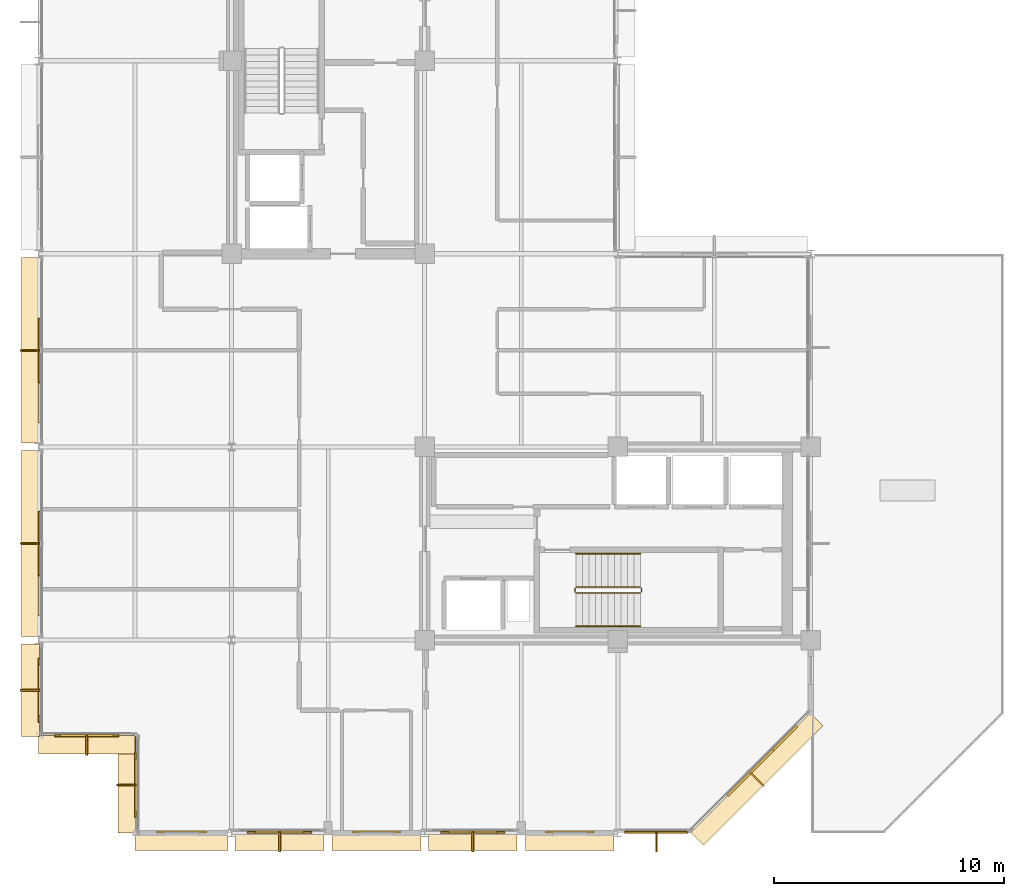
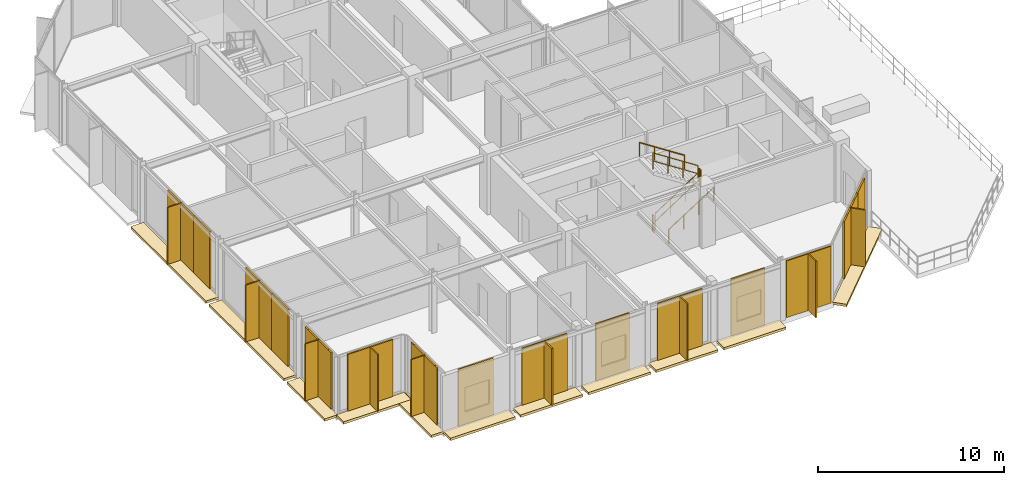
# One storey, part 20 of 23: 22 coverings, 18 shading devices, 6 railings.
"""IFC4 building model written with IfcOpenShell, lengths in metres."""

from ifc_helpers import new_model, si_unit, direction, frame, origin, origin_2d, place, context, subcontext, project, spatial, polyline, rectangle, circle, outline, extrude, material, layer, layer_set, type_object, element, save


model = new_model("IFC4")

# Units and contexts
model_context = context("Model", 3, precision=1e-05, world=origin(), true_north=direction((0.0, 1.0)))
body_context = subcontext(model_context, "Body", "Model", "MODEL_VIEW")
ifc_project = project(units=[si_unit("LENGTHUNIT", "METRE"), si_unit("AREAUNIT", "SQUARE_METRE"), si_unit("VOLUMEUNIT", "CUBIC_METRE"), si_unit("PLANEANGLEUNIT", "RADIAN"), si_unit("MASSUNIT", "GRAM", prefix="KILO")], contexts=[model_context])

# Site, building, storey
site_placement = place(None, origin())
site = spatial("IfcSite", under=ifc_project, at=site_placement, CompositionType="ELEMENT")
building_placement = place(site_placement, origin())
building = spatial("IfcBuilding", under=site, at=building_placement, Name="Nerrivon Quay Data Exchange", CompositionType="ELEMENT")
storey_placement = place(building_placement, frame((0.0, 0.0, 286.199951171875)))
storey = spatial("IfcBuildingStorey", under=building, at=storey_placement, Name="L68", CompositionType="ELEMENT", Elevation=286.199951171875)

# Coverings
ifc_material_1 = material(Name="Architectural terracotta ceramic", Category="masonry")
ifc_layer_1 = layer(ifc_material_1, 0.159912109375)
ifc_layer_set_1 = layer_set([ifc_layer_1], Name="Architectural terracotta ceramic")
covering_type_1 = type_object("IfcCoveringType", Name="COV-BLD-TERR", PredefinedType="CLADDING", material=ifc_layer_set_1)
covering_1_placement = place(storey_placement, frame((0.0, 0.0, -0.159912109375)))
element("IfcCovering", 1, at=covering_1_placement, inside=storey, type_object=covering_type_1, Name="L68 Horizontal Terracotta SOLAR SCREEN Blade", PredefinedType="CLADDING", context=body_context, shape_type="SweptSolid", body=[
    extrude(outline(polyline([(33.57177734375, 5.228271484375), (28.37158203125, 0.0283203125), (28.930419921875, -0.5302734375), (34.13037109375, 4.669677734375), (33.57177734375, 5.228271484375)])), origin(), (0.0, 0.0, 1.0), 0.159912109375),
])
covering_2_placement = place(storey_placement, frame((0.0, 0.0, -0.159912109375)))
element("IfcCovering", 2, at=covering_2_placement, inside=storey, type_object=covering_type_1, Name="L68 Horizontal Terracotta SOLAR SCREEN Blade", PredefinedType="CLADDING", context=body_context, shape_type="SweptSolid", body=[
    extrude(outline(polyline([(25.04443359375, 0.0400390625), (21.175048828125, 0.0400390625), (21.175048828125, -0.75), (25.04443359375, -0.75), (25.04443359375, 0.0400390625)])), origin(), (0.0, 0.0, 1.0), 0.159912109375),
])
covering_3_placement = place(storey_placement, frame((0.0, 0.0, -0.159912109375)))
element("IfcCovering", 3, at=covering_3_placement, inside=storey, type_object=covering_type_1, Name="L68 Horizontal Terracotta SOLAR SCREEN Blade", PredefinedType="CLADDING", context=body_context, shape_type="SweptSolid", body=[
    extrude(outline(polyline([(20.824951171875, 0.0400390625), (16.95556640625, 0.0400390625), (16.95556640625, -0.75), (20.824951171875, -0.75), (20.824951171875, 0.0400390625)])), origin(), (0.0, 0.0, 1.0), 0.159912109375),
])
covering_4_placement = place(storey_placement, frame((0.0, 0.0, -0.159912109375)))
element("IfcCovering", 4, at=covering_4_placement, inside=storey, type_object=covering_type_1, Name="L68 Horizontal Terracotta SOLAR SCREEN Blade", PredefinedType="CLADDING", context=body_context, shape_type="SweptSolid", body=[
    extrude(outline(polyline([(16.64453125, 0.0400390625), (12.77490234375, 0.0400390625), (12.77490234375, -0.75), (16.64453125, -0.75), (16.64453125, 0.0400390625)])), origin(), (0.0, 0.0, 1.0), 0.159912109375),
])
covering_5_placement = place(storey_placement, frame((0.0, 0.0, -0.159912109375)))
element("IfcCovering", 5, at=covering_5_placement, inside=storey, type_object=covering_type_1, Name="L68 Horizontal Terracotta SOLAR SCREEN Blade", PredefinedType="CLADDING", context=body_context, shape_type="SweptSolid", body=[
    extrude(outline(polyline([(12.425048828125, 0.0400390625), (8.555419921875, 0.0400390625), (8.555419921875, -0.75), (12.425048828125, -0.75), (12.425048828125, 0.0400390625)])), origin(), (0.0, 0.0, 1.0), 0.159912109375),
])
covering_6_placement = place(storey_placement, frame((0.0, 0.0, -0.159912109375)))
element("IfcCovering", 6, at=covering_6_placement, inside=storey, type_object=covering_type_1, Name="L68 Horizontal Terracotta SOLAR SCREEN Blade", PredefinedType="CLADDING", context=body_context, shape_type="SweptSolid", body=[
    extrude(outline(polyline([(8.244384765625, 0.0400390625), (4.199951171875, 0.0400390625), (4.199951171875, -0.75), (8.244384765625, -0.75), (8.244384765625, 0.0400390625)])), origin(), (0.0, 0.0, 1.0), 0.159912109375),
])
covering_7_placement = place(storey_placement, frame((0.0, 0.0, -0.159912109375)))
element("IfcCovering", 7, at=covering_7_placement, inside=storey, type_object=covering_type_1, Name="L68 Horizontal Terracotta SOLAR SCREEN Blade", PredefinedType="CLADDING", context=body_context, shape_type="SweptSolid", body=[
    extrude(outline(polyline([(4.239990234375, 0.0), (4.239990234375, 4.199951171875), (3.449951171875, 4.199951171875), (3.449951171875, 0.0), (4.239990234375, 0.0)])), origin(), (0.0, 0.0, 1.0), 0.159912109375),
])
covering_8_placement = place(storey_placement, frame((0.0, 0.0, -0.159912109375)))
element("IfcCovering", 8, at=covering_8_placement, inside=storey, type_object=covering_type_1, Name="L68 Horizontal Terracotta SOLAR SCREEN Blade", PredefinedType="CLADDING", context=body_context, shape_type="SweptSolid", body=[
    extrude(outline(polyline([(4.199951171875, 4.239990234375), (0.0, 4.239990234375), (0.0, 3.449951171875), (4.199951171875, 3.449951171875), (4.199951171875, 4.239990234375)])), origin(), (0.0, 0.0, 1.0), 0.159912109375),
])
covering_9_placement = place(storey_placement, frame((0.0, 0.0, -0.159912109375)))
element("IfcCovering", 9, at=covering_9_placement, inside=storey, type_object=covering_type_1, Name="L68 Horizontal Terracotta SOLAR SCREEN Blade", PredefinedType="CLADDING", context=body_context, shape_type="SweptSolid", body=[
    extrude(outline(polyline([(0.0400390625, 4.199951171875), (0.0400390625, 8.236572265625), (-0.75, 8.236572265625), (-0.75, 4.199951171875), (0.0400390625, 4.199951171875)])), origin(), (0.0, 0.0, 1.0), 0.159912109375),
])
covering_10_placement = place(storey_placement, frame((0.0, 0.0, -0.159912109375)))
element("IfcCovering", 10, at=covering_10_placement, inside=storey, type_object=covering_type_1, Name="L68 Horizontal Terracotta SOLAR SCREEN Blade", PredefinedType="CLADDING", context=body_context, shape_type="SweptSolid", body=[
    extrude(outline(polyline([(0.0400390625, 8.5634765625), (0.0400390625, 16.636474609375), (-0.75, 16.636474609375), (-0.75, 8.5634765625), (0.0400390625, 8.5634765625)])), origin(), (0.0, 0.0, 1.0), 0.159912109375),
])
covering_11_placement = place(storey_placement, frame((0.0, 0.0, -0.159912109375)))
element("IfcCovering", 11, at=covering_11_placement, inside=storey, type_object=covering_type_1, Name="L68 Horizontal Terracotta SOLAR SCREEN Blade", PredefinedType="CLADDING", context=body_context, shape_type="SweptSolid", body=[
    extrude(outline(polyline([(0.0400390625, 16.96337890625), (0.0400390625, 25.03662109375), (-0.75, 25.03662109375), (-0.75, 16.96337890625), (0.0400390625, 16.96337890625)])), origin(), (0.0, 0.0, 1.0), 0.159912109375),
])
ifc_layer_2 = layer(ifc_material_1, 0.090087890625)
ifc_layer_set_2 = layer_set([ifc_layer_2], Name="Architectural terracotta ceramic")
covering_type_2 = type_object("IfcCoveringType", Name="COV-SCR-TERR", PredefinedType="CLADDING", material=ifc_layer_set_2)
covering_12_placement = place(storey_placement, frame((31.59228515625, 3.255859375, 0.0), z_axis=(0.0, 0.0, 1.0), x_axis=(-0.707106781187, -0.707106781187, 0.0)))
element("IfcCovering", 12, at=covering_12_placement, inside=storey, type_object=covering_type_2, Name="L68 Perforated Terracotta SOLAR SCREEN Cassette", PredefinedType="CLADDING", context=body_context, shape_type="SweptSolid", body=[
    extrude(rectangle(XDim=3.970947265625, YDim=0.090087890625, at=origin_2d()), origin(), (0.0, 0.0, 1.0), 3.72509765625),
])
for number, where, z_axis, x_axis, name in (
    (13, (23.109619140625, 0.044921875, 0.0), (0.0, 0.0, 1.0), (-1.0, 0.0, 0.0), "L68 Perforated Terracotta SOLAR SCREEN Cassette"),
    (14, (18.890380859375, 0.044921875, 0.0), (0.0, 0.0, 1.0), (-1.0, 0.0, 0.0), "L68 Perforated Terracotta SOLAR SCREEN Cassette"),
    (15, (14.709716796875, 0.044921875, 0.0), (0.0, 0.0, 1.0), (-1.0, 0.0, 0.0), "L68 Perforated Terracotta SOLAR SCREEN Cassette"),
    (16, (10.490234375, 0.044921875, 0.0), (0.0, 0.0, 1.0), (-1.0, 0.0, 0.0), "L68 Perforated Terracotta SOLAR SCREEN Cassette"),
):
    element("IfcCovering", number, at=place(storey_placement, frame(where, z_axis=z_axis, x_axis=x_axis)), inside=storey, type_object=covering_type_2, Name=name, PredefinedType="CLADDING", context=body_context, shape_type="SweptSolid", body=[
        extrude(rectangle(XDim=2.090087890625, YDim=0.090087890625, at=origin_2d()), origin(), (0.0, 0.0, 1.0), 3.72509765625),
    ])
covering_13_placement = place(storey_placement, frame((6.222412109375, 0.044921875, 0.0), z_axis=(0.0, 0.0, 1.0), x_axis=(-1.0, 0.0, 0.0)))
element("IfcCovering", 17, at=covering_13_placement, inside=storey, type_object=covering_type_2, Name="L68 Perforated Terracotta SOLAR SCREEN Cassette", PredefinedType="CLADDING", context=body_context, shape_type="SweptSolid", body=[
    extrude(rectangle(XDim=2.18408203125, YDim=0.090087890625, at=origin_2d()), origin(), (0.0, 0.0, 1.0), 3.72509765625),
])
for number, where, z_axis, x_axis, name in (
    (18, (4.2451171875, 2.10009765625, 0.0), (0.0, 0.0, 1.0), (0.0, 1.0, 0.0), "L68 Perforated Terracotta SOLAR SCREEN Cassette"),
    (19, (2.10009765625, 4.2451171875, 0.0), (0.0, 0.0, 1.0), (-1.0, 0.0, 0.0), "L68 Perforated Terracotta SOLAR SCREEN Cassette"),
):
    element("IfcCovering", number, at=place(storey_placement, frame(where, z_axis=z_axis, x_axis=x_axis)), inside=storey, type_object=covering_type_2, Name=name, PredefinedType="CLADDING", context=body_context, shape_type="SweptSolid", body=[
        extrude(rectangle(XDim=2.26806640625, YDim=0.090087890625, at=origin_2d()), origin(), (0.0, 0.0, 1.0), 3.72509765625),
    ])
covering_14_placement = place(storey_placement, frame((0.044921875, 6.21826171875, 0.0), z_axis=(0.0, 0.0, 1.0), x_axis=(0.0, 1.0, 0.0)))
element("IfcCovering", 20, at=covering_14_placement, inside=storey, type_object=covering_type_2, Name="L68 Perforated Terracotta SOLAR SCREEN Cassette", PredefinedType="CLADDING", context=body_context, shape_type="SweptSolid", body=[
    extrude(rectangle(XDim=2.179931640625, YDim=0.090087890625, at=origin_2d()), origin(), (0.0, 0.0, 1.0), 3.72509765625),
])
for number, where, z_axis, x_axis, name in (
    (21, (0.044921875, 11.631103515625, 0.0), (0.0, 0.0, 1.0), (0.0, 1.0, 0.0), "L68 Perforated Terracotta SOLAR SCREEN Cassette"),
    (22, (0.044921875, 20.03125, 0.0), (0.0, 0.0, 1.0), (0.0, 1.0, 0.0), "L68 Perforated Terracotta SOLAR SCREEN Cassette"),
):
    element("IfcCovering", number, at=place(storey_placement, frame(where, z_axis=z_axis, x_axis=x_axis)), inside=storey, type_object=covering_type_2, Name=name, PredefinedType="CLADDING", context=body_context, shape_type="SweptSolid", body=[
        extrude(rectangle(XDim=4.35888671875, YDim=0.090087890625, at=origin_2d()), origin(), (0.0, 0.0, 1.0), 3.72509765625),
    ])

# Railings
ifc_material_2 = material(Name="Steel Grade C350L0 (350 MPa)", Category="steel")
railing_type_1 = type_object("IfcRailingType", Name="RAIL-HAND-HR1", PredefinedType="HANDRAIL", material=ifc_material_2)
railing_1_placement = place(storey_placement, frame((23.3798828125, 9.0, 0.181884765625)))
element("IfcRailing", 23, at=railing_1_placement, inside=storey, type_object=railing_type_1, Name="L68 ST02 stair handrail 1", PredefinedType="HANDRAIL", context=body_context, shape_type="SweptSolid", body=[
    extrude(circle(Radius=0.02392578125, at=origin_2d()), frame((0.0, 0.0, 0.8759765625), z_axis=(0.838705829183, 0.0, 0.544584733623), x_axis=(0.0, 1.0, 0.0)), (0.0, 0.0, 1.0), 3.338623046875),
    extrude(circle(Radius=0.02099609375, at=origin_2d()), origin(), (0.0, 0.0, 1.0), 0.851806640625),
    extrude(circle(Radius=0.02099609375, at=origin_2d()), frame((0.933349609375, 0.0, 0.60595703125)), (0.0, 0.0, 1.0), 0.851806640625),
    extrude(circle(Radius=0.02099609375, at=origin_2d()), frame((1.86669921875, 0.0, 1.212158203125)), (0.0, 0.0, 1.0), 0.851806640625),
    extrude(circle(Radius=0.02099609375, at=origin_2d()), frame((2.800048828125, 0.0, 1.818115234375)), (0.0, 0.0, 1.0), 0.851806640625),
])
railing_2_placement = place(storey_placement, frame((26.179931640625, 12.14990234375, 2.181884765625)))
element("IfcRailing", 24, at=railing_2_placement, inside=storey, type_object=railing_type_1, Name="L68 ST02 stair handrail 2", PredefinedType="HANDRAIL", context=body_context, shape_type="SweptSolid", body=[
    extrude(circle(Radius=0.02392578125, at=origin_2d()), frame((0.0, 0.0, 0.8759765625), z_axis=(-0.838705829183, 0.0, 0.544584733623), x_axis=(0.0, -1.0, 0.0)), (0.0, 0.0, 1.0), 3.338623046875),
    extrude(circle(Radius=0.02099609375, at=origin_2d()), origin(), (0.0, 0.0, 1.0), 0.851806640625),
    extrude(circle(Radius=0.02099609375, at=origin_2d()), frame((-0.933349609375, 0.0, 0.60595703125)), (0.0, 0.0, 1.0), 0.851806640625),
    extrude(circle(Radius=0.02099609375, at=origin_2d()), frame((-1.86669921875, 0.0, 1.212158203125)), (0.0, 0.0, 1.0), 0.851806640625),
    extrude(circle(Radius=0.02099609375, at=origin_2d()), frame((-2.800048828125, 0.0, 1.818115234375)), (0.0, 0.0, 1.0), 0.851806640625),
])
railing_type_2 = type_object("IfcRailingType", Name="RAIL-STAIR-GR1", PredefinedType="BALUSTRADE", material=ifc_material_2)
railing_3_placement = place(storey_placement, frame((23.3798828125, 10.449951171875, 0.181884765625)))
element("IfcRailing", 25, at=railing_3_placement, inside=storey, type_object=railing_type_2, Name="L68 ST02 stair guard 1", PredefinedType="BALUSTRADE", context=body_context, shape_type="SweptSolid", body=[
    extrude(circle(Radius=0.02392578125, at=origin_2d()), frame((0.0, 0.0, 1.076171875), z_axis=(0.838705829183, 0.0, 0.544584733623), x_axis=(0.0, 1.0, 0.0)), (0.0, 0.0, 1.0), 3.338623046875),
    extrude(circle(Radius=0.02392578125, at=origin_2d()), frame((0.0, 0.0, 0.550048828125), z_axis=(0.838705829183, 0.0, 0.544584733623), x_axis=(0.0, 1.0, 0.0)), (0.0, 0.0, 1.0), 3.338623046875),
    extrude(circle(Radius=0.02099609375, at=origin_2d()), origin(), (0.0, 0.0, 1.0), 1.052001953125),
    extrude(circle(Radius=0.02099609375, at=origin_2d()), frame((0.933349609375, 0.0, 0.60595703125)), (0.0, 0.0, 1.0), 1.052001953125),
    extrude(circle(Radius=0.02099609375, at=origin_2d()), frame((1.86669921875, 0.0, 1.212158203125)), (0.0, 0.0, 1.0), 1.052001953125),
    extrude(circle(Radius=0.02099609375, at=origin_2d()), frame((2.800048828125, 0.0, 1.818115234375)), (0.0, 0.0, 1.0), 1.052001953125),
])
railing_4_placement = place(storey_placement, frame((26.22998046875, 10.5, 2.0)))
element("IfcRailing", 26, at=railing_4_placement, inside=storey, type_object=railing_type_2, Name="L68 ST02 stair guard 2", PredefinedType="BALUSTRADE", context=body_context, shape_type="SweptSolid", body=[
    extrude(circle(Radius=0.02392578125, at=origin_2d()), frame((0.0, 0.0, 1.076171875), z_axis=(0.0, 1.0, 0.0), x_axis=(-1.0, 0.0, 0.0)), (0.0, 0.0, 1.0), 0.14990234375),
    extrude(circle(Radius=0.02392578125, at=origin_2d()), frame((0.0, 0.0, 0.550048828125), z_axis=(0.0, 1.0, 0.0), x_axis=(-1.0, 0.0, 0.0)), (0.0, 0.0, 1.0), 0.14990234375),
    extrude(circle(Radius=0.02099609375, at=origin_2d()), origin(), (0.0, 0.0, 1.0), 1.052001953125),
    extrude(circle(Radius=0.02099609375, at=origin_2d()), frame((0.0, 0.14990234375, 0.0)), (0.0, 0.0, 1.0), 1.052001953125),
])
railing_5_placement = place(storey_placement, frame((26.179931640625, 10.699951171875, 2.181884765625)))
element("IfcRailing", 27, at=railing_5_placement, inside=storey, type_object=railing_type_2, Name="L68 ST02 stair guard 3", PredefinedType="BALUSTRADE", context=body_context, shape_type="SweptSolid", body=[
    extrude(circle(Radius=0.02392578125, at=origin_2d()), frame((0.0, 0.0, 1.076171875), z_axis=(-0.838705829183, 0.0, 0.544584733623), x_axis=(0.0, -1.0, 0.0)), (0.0, 0.0, 1.0), 3.338623046875),
    extrude(circle(Radius=0.02392578125, at=origin_2d()), frame((0.0, 0.0, 0.550048828125), z_axis=(-0.838705829183, 0.0, 0.544584733623), x_axis=(0.0, -1.0, 0.0)), (0.0, 0.0, 1.0), 3.338623046875),
    extrude(circle(Radius=0.02099609375, at=origin_2d()), origin(), (0.0, 0.0, 1.0), 1.052001953125),
    extrude(circle(Radius=0.02099609375, at=origin_2d()), frame((-0.933349609375, 0.0, 0.60595703125)), (0.0, 0.0, 1.0), 1.052001953125),
    extrude(circle(Radius=0.02099609375, at=origin_2d()), frame((-1.86669921875, 0.0, 1.212158203125)), (0.0, 0.0, 1.0), 1.052001953125),
    extrude(circle(Radius=0.02099609375, at=origin_2d()), frame((-2.800048828125, 0.0, 1.818115234375)), (0.0, 0.0, 1.0), 1.052001953125),
])
railing_6_placement = place(storey_placement, frame((23.330078125, 10.5, 0.0)))
element("IfcRailing", 28, at=railing_6_placement, inside=storey, type_object=railing_type_2, Name="L68 ST02 stair guard 4", PredefinedType="BALUSTRADE", context=body_context, shape_type="SweptSolid", body=[
    extrude(circle(Radius=0.02392578125, at=origin_2d()), frame((0.0, 0.0, 1.076171875), z_axis=(0.0, 1.0, 0.0), x_axis=(-1.0, 0.0, 0.0)), (0.0, 0.0, 1.0), 0.14990234375),
    extrude(circle(Radius=0.02392578125, at=origin_2d()), frame((0.0, 0.0, 0.550048828125), z_axis=(0.0, 1.0, 0.0), x_axis=(-1.0, 0.0, 0.0)), (0.0, 0.0, 1.0), 0.14990234375),
    extrude(circle(Radius=0.02099609375, at=origin_2d()), origin(), (0.0, 0.0, 1.0), 1.052001953125),
    extrude(circle(Radius=0.02099609375, at=origin_2d()), frame((0.0, 0.14990234375, 0.0)), (0.0, 0.0, 1.0), 1.052001953125),
])

# Shading devices
ifc_layer_3 = layer(ifc_material_1, 0.074951171875)
ifc_layer_set_3 = layer_set([ifc_layer_3], Name="Architectural terracotta ceramic")
shading_device_type_1 = type_object("IfcShadingDeviceType", Name="SHD-FIN-SS02", PredefinedType="USERDEFINED", material=ifc_layer_set_3)
for number, where, z_axis, x_axis, name in (
    (29, (31.268798828125, 2.331298828125, 0.0), (0.0, 0.0, 1.0), (-0.707106781187, -0.707106781187, 0.0), "L68 Subtropical Solar Fin Blade 1"),
    (30, (26.877685546875, -0.3798828125, 0.0), (0.0, 0.0, 1.0), (-1.0, 0.0, 0.0), "L68 Subtropical Solar Fin Blade 2"),
    (31, (18.890380859375, -0.3798828125, 0.0), (0.0, 0.0, 1.0), (-1.0, 0.0, 0.0), "L68 Subtropical Solar Fin Blade 4"),
    (32, (10.490234375, -0.3798828125, 0.0), (0.0, 0.0, 1.0), (-1.0, 0.0, 0.0), "L68 Subtropical Solar Fin Blade 6"),
    (33, (3.820068359375, 2.10009765625, 0.0), (0.0, 0.0, 1.0), (0.0, 1.0, 0.0), "L68 Subtropical Solar Fin Blade 8"),
    (34, (2.10009765625, 3.820068359375, 0.0), (0.0, 0.0, 1.0), (-1.0, 0.0, 0.0), "L68 Subtropical Solar Fin Blade 9"),
    (35, (-0.3798828125, 6.21826171875, 0.0), (0.0, 0.0, 1.0), (0.0, 1.0, 0.0), "L68 Subtropical Solar Fin Blade 10"),
    (36, (-0.3798828125, 12.60009765625, 0.0), (0.0, 0.0, 1.0), (0.0, 1.0, 0.0), "L68 Subtropical Solar Fin Blade 11"),
    (37, (-0.3798828125, 21.0, 0.0), (0.0, 0.0, 1.0), (0.0, 1.0, 0.0), "L68 Subtropical Solar Fin Blade 12"),
):
    element("IfcShadingDevice", number, at=place(storey_placement, frame(where, z_axis=z_axis, x_axis=x_axis)), inside=storey, type_object=shading_device_type_1, Name=name, ObjectType="FIN", PredefinedType="USERDEFINED", context=body_context, shape_type="SweptSolid", body=[
        extrude(rectangle(XDim=0.074951171875, YDim=0.85009765625, at=origin_2d()), origin(), (0.0, 0.0, 1.0), 3.72509765625),
    ])
ifc_layer_4 = layer(ifc_material_1, 0.0849609375)
ifc_layer_set_4 = layer_set([ifc_layer_4], Name="Architectural terracotta ceramic")
shading_device_type_2 = type_object("IfcShadingDeviceType", Name="SHD-SCR-SS01", PredefinedType="USERDEFINED", material=ifc_layer_set_4)
shading_device_1_placement = place(storey_placement, frame((30.9716796875, 2.62841796875, 0.0), z_axis=(0.0, 0.0, 1.0), x_axis=(-0.707106781187, -0.707106781187, 0.0)))
element("IfcShadingDevice", 38, at=shading_device_1_placement, inside=storey, type_object=shading_device_type_2, Name="L68 Perforated Terracotta Solar Screen 1", ObjectType="SCREEN", PredefinedType="USERDEFINED", context=body_context, shape_type="SweptSolid", body=[
    extrude(rectangle(XDim=2.800048828125, YDim=0.0849609375, at=origin_2d()), origin(), (0.0, 0.0, 1.0), 3.72509765625),
])
shading_device_2_placement = place(storey_placement, frame((26.877685546875, 0.0400390625, 0.0), z_axis=(0.0, 0.0, 1.0), x_axis=(-1.0, 0.0, 0.0)))
element("IfcShadingDevice", 39, at=shading_device_2_placement, inside=storey, type_object=shading_device_type_2, Name="L68 Perforated Terracotta Solar Screen 2", ObjectType="SCREEN", PredefinedType="USERDEFINED", context=body_context, shape_type="SweptSolid", body=[
    extrude(rectangle(XDim=2.744384765625, YDim=0.0849609375, at=origin_2d()), origin(), (0.0, 0.0, 1.0), 3.72509765625),
])
for number, where, z_axis, x_axis, name in (
    (40, (18.890380859375, 0.0400390625, 0.0), (0.0, 0.0, 1.0), (-1.0, 0.0, 0.0), "L68 Perforated Terracotta Solar Screen 4"),
    (41, (10.490234375, 0.0400390625, 0.0), (0.0, 0.0, 1.0), (-1.0, 0.0, 0.0), "L68 Perforated Terracotta Solar Screen 6"),
    (42, (4.239990234375, 2.10009765625, 0.0), (0.0, 0.0, 1.0), (0.0, 1.0, 0.0), "L68 Perforated Terracotta Solar Screen 8"),
    (43, (2.10009765625, 4.239990234375, 0.0), (0.0, 0.0, 1.0), (-1.0, 0.0, 0.0), "L68 Perforated Terracotta Solar Screen 9"),
    (44, (0.0400390625, 6.21826171875, 0.0), (0.0, 0.0, 1.0), (0.0, 1.0, 0.0), "L68 Perforated Terracotta Solar Screen 10"),
    (45, (0.0400390625, 12.60009765625, 0.0), (0.0, 0.0, 1.0), (0.0, 1.0, 0.0), "L68 Perforated Terracotta Solar Screen 11"),
    (46, (0.0400390625, 21.0, 0.0), (0.0, 0.0, 1.0), (0.0, 1.0, 0.0), "L68 Perforated Terracotta Solar Screen 12"),
):
    element("IfcShadingDevice", number, at=place(storey_placement, frame(where, z_axis=z_axis, x_axis=x_axis)), inside=storey, type_object=shading_device_type_2, Name=name, ObjectType="SCREEN", PredefinedType="USERDEFINED", context=body_context, shape_type="SweptSolid", body=[
        extrude(rectangle(XDim=2.800048828125, YDim=0.0849609375, at=origin_2d()), origin(), (0.0, 0.0, 1.0), 3.72509765625),
    ])

save(model, "model.ifc")
